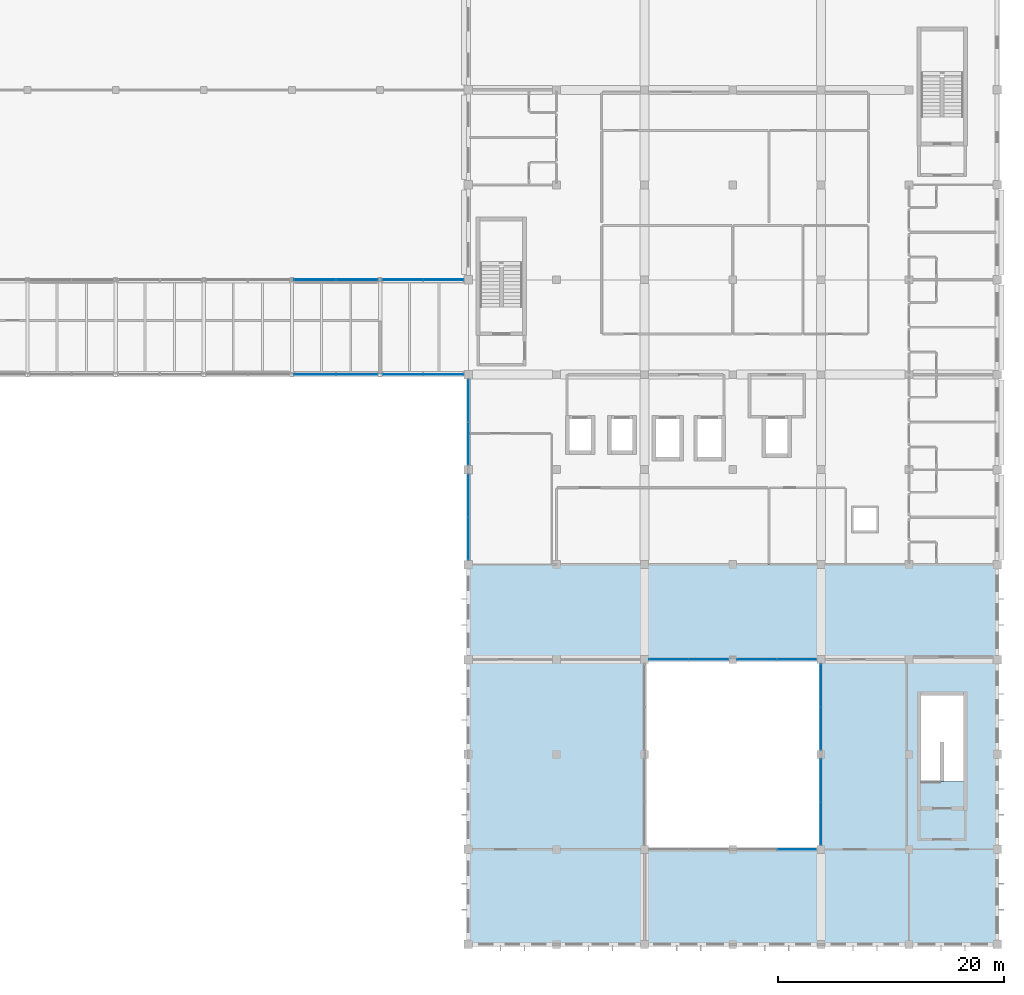
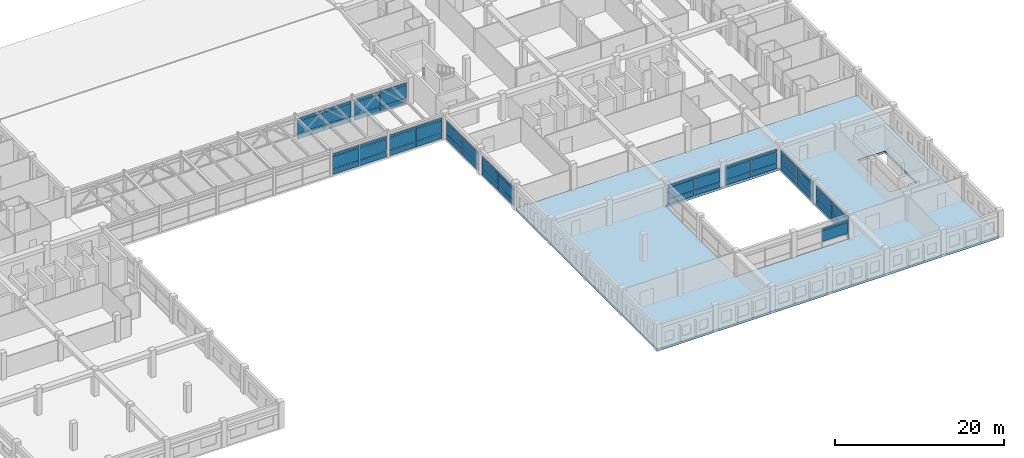
# One storey, part 42 of 72: 62 plates, 1 slab, 11 elements without a shape of their own.
"""IFC4 building model written with IfcOpenShell, lengths in metres."""

from ifc_helpers import new_model, si_unit, direction, frame, origin, origin_2d, place, context, subcontext, project, spatial, polyline, rectangle, outline, extrude, material, layer, layer_set, type_object, element, aggregate, save


model = new_model("IFC4")

# Units and contexts
model_context = context("Model", 3, precision=1e-05, world=origin(), true_north=direction((0.0, 1.0)))
body_context = subcontext(model_context, "Body", "Model", "MODEL_VIEW")
ifc_project = project(units=[si_unit("LENGTHUNIT", "METRE"), si_unit("AREAUNIT", "SQUARE_METRE"), si_unit("VOLUMEUNIT", "CUBIC_METRE"), si_unit("PLANEANGLEUNIT", "RADIAN"), si_unit("MASSUNIT", "GRAM", prefix="KILO"), si_unit("THERMODYNAMICTEMPERATUREUNIT", "KELVIN"), si_unit("POWERUNIT", "WATT")], contexts=[model_context])

# Site, building, storey
site_placement = place(None, origin())
site = spatial("IfcSite", under=ifc_project, at=site_placement, CompositionType="ELEMENT")
building_placement = place(site_placement, origin())
building = spatial("IfcBuilding", under=site, at=building_placement, Name="Srebrne Nadtorze General Hospital", CompositionType="ELEMENT")
storey_placement = place(building_placement, frame((0.0, 0.0, 22.199951171875)))
storey = spatial("IfcBuildingStorey", under=building, at=storey_placement, Name="L05", CompositionType="ELEMENT", Elevation=22.199951171875)

# Curtain wall, plates
ifc_material_1 = material(Name="Anodised Aluminium", Category="aluminium")
curtain_wall_type_1 = type_object("IfcCurtainWallType", Name="Unitised curtain wall 7100x2950", PredefinedType="NOTDEFINED", material=ifc_material_1)
curtain_wall_1_placement = place(storey_placement, origin())
curtain_wall_1 = element("IfcCurtainWall", 1, at=curtain_wall_1_placement, inside=storey, type_object=curtain_wall_type_1, Name="Curtain wall CW-115", PredefinedType="NOTDEFINED")
ifc_material_2 = material(Name="Triple Low-E Glazing", Category="glass")
ifc_layer_1 = layer(ifc_material_2, 0.050048828125)
ifc_layer_set_1 = layer_set([ifc_layer_1], Name="Triple Low-E Glazing")
plate_type = type_object("IfcPlateType", Name="Glazed curtain panel 50", PredefinedType="CURTAIN_PANEL", material=ifc_layer_set_1)
plate_1_placement = place(storey_placement, frame((130.458740234375, 8.39990234375, 0.8828125), z_axis=(0.0, 0.0, 1.0), x_axis=(1.0, 0.0, 0.0)))
plate_1 = element("IfcPlate", 2, at=plate_1_placement, type_object=plate_type, Name="CW-115 panel 2.2", PredefinedType="CURTAIN_PANEL", context=body_context, shape_type="SweptSolid", body=[
    extrude(rectangle(XDim=3.452392578125, YDim=0.050048828125, at=origin_2d()), origin(), (0.0, 0.0, 1.0), 1.534912109375),
])
plate_2_placement = place(storey_placement, frame((130.458740234375, 8.39990234375, 2.482421875), z_axis=(0.0, 0.0, 1.0), x_axis=(1.0, 0.0, 0.0)))
plate_2 = element("IfcPlate", 3, at=plate_2_placement, type_object=plate_type, Name="CW-115 panel 2.3", PredefinedType="CURTAIN_PANEL", context=body_context, shape_type="SweptSolid", body=[
    extrude(rectangle(XDim=3.452392578125, YDim=0.050048828125, at=origin_2d()), origin(), (0.0, 0.0, 1.0), 0.402587890625),
])
aggregate(curtain_wall_1, [plate_1, plate_2])

curtain_wall_2_placement = place(storey_placement, origin())
curtain_wall_2 = element("IfcCurtainWall", 4, at=curtain_wall_2_placement, inside=storey, type_object=curtain_wall_type_1, Name="Curtain wall CW-116", PredefinedType="NOTDEFINED")
plate_3_placement = place(storey_placement, frame((119.139892578125, 25.199951171875, 0.06005859375), z_axis=(0.0, 0.0, 1.0), x_axis=(1.0, 0.0, 0.0)))
plate_3 = element("IfcPlate", 5, at=plate_3_placement, type_object=plate_type, Name="CW-116 panel 1.1", PredefinedType="CURTAIN_PANEL", context=body_context, shape_type="SweptSolid", body=[
    extrude(rectangle(XDim=3.4599609375, YDim=0.050048828125, at=origin_2d()), origin(), (0.0, 0.0, 1.0), 0.760009765625),
])
plate_4_placement = place(storey_placement, frame((119.139892578125, 25.199951171875, 0.880126953125), z_axis=(0.0, 0.0, 1.0), x_axis=(1.0, 0.0, 0.0)))
plate_4 = element("IfcPlate", 6, at=plate_4_placement, type_object=plate_type, Name="CW-116 panel 1.2", PredefinedType="CURTAIN_PANEL", context=body_context, shape_type="SweptSolid", body=[
    extrude(rectangle(XDim=3.4599609375, YDim=0.050048828125, at=origin_2d()), origin(), (0.0, 0.0, 1.0), 1.5400390625),
])
plate_5_placement = place(storey_placement, frame((119.139892578125, 25.199951171875, 2.47998046875), z_axis=(0.0, 0.0, 1.0), x_axis=(1.0, 0.0, 0.0)))
plate_5 = element("IfcPlate", 7, at=plate_5_placement, type_object=plate_type, Name="CW-116 panel 1.3", PredefinedType="CURTAIN_PANEL", context=body_context, shape_type="SweptSolid", body=[
    extrude(rectangle(XDim=3.4599609375, YDim=0.050048828125, at=origin_2d()), origin(), (0.0, 0.0, 1.0), 0.409912109375),
])
plate_6_placement = place(storey_placement, frame((122.659912109375, 25.199951171875, 0.06005859375), z_axis=(0.0, 0.0, 1.0), x_axis=(1.0, 0.0, 0.0)))
plate_6 = element("IfcPlate", 8, at=plate_6_placement, type_object=plate_type, Name="CW-116 panel 2.1", PredefinedType="CURTAIN_PANEL", context=body_context, shape_type="SweptSolid", body=[
    extrude(rectangle(XDim=3.4599609375, YDim=0.050048828125, at=origin_2d()), origin(), (0.0, 0.0, 1.0), 0.760009765625),
])
plate_7_placement = place(storey_placement, frame((122.659912109375, 25.199951171875, 0.880126953125), z_axis=(0.0, 0.0, 1.0), x_axis=(1.0, 0.0, 0.0)))
plate_7 = element("IfcPlate", 9, at=plate_7_placement, type_object=plate_type, Name="CW-116 panel 2.2", PredefinedType="CURTAIN_PANEL", context=body_context, shape_type="SweptSolid", body=[
    extrude(rectangle(XDim=3.4599609375, YDim=0.050048828125, at=origin_2d()), origin(), (0.0, 0.0, 1.0), 1.5400390625),
])
plate_8_placement = place(storey_placement, frame((122.659912109375, 25.199951171875, 2.47998046875), z_axis=(0.0, 0.0, 1.0), x_axis=(1.0, 0.0, 0.0)))
plate_8 = element("IfcPlate", 10, at=plate_8_placement, type_object=plate_type, Name="CW-116 panel 2.3", PredefinedType="CURTAIN_PANEL", context=body_context, shape_type="SweptSolid", body=[
    extrude(rectangle(XDim=3.4599609375, YDim=0.050048828125, at=origin_2d()), origin(), (0.0, 0.0, 1.0), 0.409912109375),
])
aggregate(curtain_wall_2, [plate_3, plate_4, plate_5, plate_6, plate_7, plate_8])

curtain_wall_3_placement = place(storey_placement, origin())
curtain_wall_3 = element("IfcCurtainWall", 11, at=curtain_wall_3_placement, inside=storey, type_object=curtain_wall_type_1, Name="Curtain wall CW-117", PredefinedType="NOTDEFINED")
plate_9_placement = place(storey_placement, frame((126.941162109375, 25.199951171875, 0.065185546875), z_axis=(0.0, 0.0, 1.0), x_axis=(1.0, 0.0, 0.0)))
plate_9 = element("IfcPlate", 12, at=plate_9_placement, type_object=plate_type, Name="CW-117 panel 1.1", PredefinedType="CURTAIN_PANEL", context=body_context, shape_type="SweptSolid", body=[
    extrude(rectangle(XDim=3.452392578125, YDim=0.050048828125, at=origin_2d()), origin(), (0.0, 0.0, 1.0), 0.75244140625),
])
plate_10_placement = place(storey_placement, frame((126.941162109375, 25.199951171875, 0.8828125), z_axis=(0.0, 0.0, 1.0), x_axis=(1.0, 0.0, 0.0)))
plate_10 = element("IfcPlate", 13, at=plate_10_placement, type_object=plate_type, Name="CW-117 panel 1.2", PredefinedType="CURTAIN_PANEL", context=body_context, shape_type="SweptSolid", body=[
    extrude(rectangle(XDim=3.452392578125, YDim=0.050048828125, at=origin_2d()), origin(), (0.0, 0.0, 1.0), 1.534912109375),
])
plate_11_placement = place(storey_placement, frame((126.941162109375, 25.199951171875, 2.482421875), z_axis=(0.0, 0.0, 1.0), x_axis=(1.0, 0.0, 0.0)))
plate_11 = element("IfcPlate", 14, at=plate_11_placement, type_object=plate_type, Name="CW-117 panel 1.3", PredefinedType="CURTAIN_PANEL", context=body_context, shape_type="SweptSolid", body=[
    extrude(rectangle(XDim=3.452392578125, YDim=0.050048828125, at=origin_2d()), origin(), (0.0, 0.0, 1.0), 0.402587890625),
])
plate_12_placement = place(storey_placement, frame((130.458740234375, 25.199951171875, 0.065185546875), z_axis=(0.0, 0.0, 1.0), x_axis=(1.0, 0.0, 0.0)))
plate_12 = element("IfcPlate", 15, at=plate_12_placement, type_object=plate_type, Name="CW-117 panel 2.1", PredefinedType="CURTAIN_PANEL", context=body_context, shape_type="SweptSolid", body=[
    extrude(rectangle(XDim=3.452392578125, YDim=0.050048828125, at=origin_2d()), origin(), (0.0, 0.0, 1.0), 0.75244140625),
])
plate_13_placement = place(storey_placement, frame((130.458740234375, 25.199951171875, 0.8828125), z_axis=(0.0, 0.0, 1.0), x_axis=(1.0, 0.0, 0.0)))
plate_13 = element("IfcPlate", 16, at=plate_13_placement, type_object=plate_type, Name="CW-117 panel 2.2", PredefinedType="CURTAIN_PANEL", context=body_context, shape_type="SweptSolid", body=[
    extrude(rectangle(XDim=3.452392578125, YDim=0.050048828125, at=origin_2d()), origin(), (0.0, 0.0, 1.0), 1.534912109375),
])
plate_14_placement = place(storey_placement, frame((130.458740234375, 25.199951171875, 2.482421875), z_axis=(0.0, 0.0, 1.0), x_axis=(1.0, 0.0, 0.0)))
plate_14 = element("IfcPlate", 17, at=plate_14_placement, type_object=plate_type, Name="CW-117 panel 2.3", PredefinedType="CURTAIN_PANEL", context=body_context, shape_type="SweptSolid", body=[
    extrude(rectangle(XDim=3.452392578125, YDim=0.050048828125, at=origin_2d()), origin(), (0.0, 0.0, 1.0), 0.402587890625),
])
aggregate(curtain_wall_3, [plate_9, plate_10, plate_11, plate_12, plate_13, plate_14])

ifc_material_3 = material(Name="Anodised Aluminium", Category="aluminium")
curtain_wall_type_2 = type_object("IfcCurtainWallType", Name="Bridge curtain wall 7500x3150", PredefinedType="NOTDEFINED", material=ifc_material_3)
curtain_wall_4_placement = place(storey_placement, origin())
curtain_wall_4 = element("IfcCurtainWall", 18, at=curtain_wall_4_placement, inside=storey, type_object=curtain_wall_type_2, Name="Curtain wall CW-122", PredefinedType="NOTDEFINED")
plate_15_placement = place(storey_placement, frame((87.840087890625, 50.39990234375, 0.06005859375), z_axis=(0.0, 0.0, 1.0), x_axis=(1.0, 0.0, 0.0)))
plate_15 = element("IfcPlate", 19, at=plate_15_placement, type_object=plate_type, Name="CW-122 panel 1.1", PredefinedType="CURTAIN_PANEL", context=body_context, shape_type="SweptSolid", body=[
    extrude(rectangle(XDim=3.659912109375, YDim=0.050048828125, at=origin_2d()), origin(), (0.0, 0.0, 1.0), 0.760009765625),
])
plate_16_placement = place(storey_placement, frame((87.840087890625, 50.39990234375, 0.8798828125), z_axis=(0.0, 0.0, 1.0), x_axis=(1.0, 0.0, 0.0)))
plate_16 = element("IfcPlate", 20, at=plate_16_placement, type_object=plate_type, Name="CW-122 panel 1.2", PredefinedType="CURTAIN_PANEL", context=body_context, shape_type="SweptSolid", body=[
    extrude(rectangle(XDim=3.659912109375, YDim=0.050048828125, at=origin_2d()), origin(), (0.0, 0.0, 1.0), 1.739990234375),
])
plate_17_placement = place(storey_placement, frame((87.840087890625, 50.39990234375, 2.68017578125), z_axis=(0.0, 0.0, 1.0), x_axis=(1.0, 0.0, 0.0)))
plate_17 = element("IfcPlate", 21, at=plate_17_placement, type_object=plate_type, Name="CW-122 panel 1.3", PredefinedType="CURTAIN_PANEL", context=body_context, shape_type="SweptSolid", body=[
    extrude(rectangle(XDim=3.659912109375, YDim=0.050048828125, at=origin_2d()), origin(), (0.0, 0.0, 1.0), 0.409912109375),
])
plate_18_placement = place(storey_placement, frame((91.56005859375, 50.39990234375, 0.06005859375), z_axis=(0.0, 0.0, 1.0), x_axis=(1.0, 0.0, 0.0)))
plate_18 = element("IfcPlate", 22, at=plate_18_placement, type_object=plate_type, Name="CW-122 panel 2.1", PredefinedType="CURTAIN_PANEL", context=body_context, shape_type="SweptSolid", body=[
    extrude(rectangle(XDim=3.659912109375, YDim=0.050048828125, at=origin_2d()), origin(), (0.0, 0.0, 1.0), 0.760009765625),
])
plate_19_placement = place(storey_placement, frame((91.56005859375, 50.39990234375, 0.8798828125), z_axis=(0.0, 0.0, 1.0), x_axis=(1.0, 0.0, 0.0)))
plate_19 = element("IfcPlate", 23, at=plate_19_placement, type_object=plate_type, Name="CW-122 panel 2.2", PredefinedType="CURTAIN_PANEL", context=body_context, shape_type="SweptSolid", body=[
    extrude(rectangle(XDim=3.659912109375, YDim=0.050048828125, at=origin_2d()), origin(), (0.0, 0.0, 1.0), 1.739990234375),
])
plate_20_placement = place(storey_placement, frame((91.56005859375, 50.39990234375, 2.68017578125), z_axis=(0.0, 0.0, 1.0), x_axis=(1.0, 0.0, 0.0)))
plate_20 = element("IfcPlate", 24, at=plate_20_placement, type_object=plate_type, Name="CW-122 panel 2.3", PredefinedType="CURTAIN_PANEL", context=body_context, shape_type="SweptSolid", body=[
    extrude(rectangle(XDim=3.659912109375, YDim=0.050048828125, at=origin_2d()), origin(), (0.0, 0.0, 1.0), 0.409912109375),
])
aggregate(curtain_wall_4, [plate_15, plate_16, plate_17, plate_18, plate_19, plate_20])

ifc_material_4 = material(Name="Anodised Aluminium", Category="aluminium")
curtain_wall_type_3 = type_object("IfcCurtainWallType", Name="Bridge curtain wall 7275x3150", PredefinedType="NOTDEFINED", material=ifc_material_4)
curtain_wall_5_placement = place(storey_placement, origin())
curtain_wall_5 = element("IfcCurtainWall", 25, at=curtain_wall_5_placement, inside=storey, type_object=curtain_wall_type_3, Name="Curtain wall CW-123", PredefinedType="NOTDEFINED")
plate_21_placement = place(storey_placement, frame((95.5849609375, 50.39990234375, 0.065185546875), z_axis=(0.0, 0.0, 1.0), x_axis=(1.0, 0.0, 0.0)))
plate_21 = element("IfcPlate", 26, at=plate_21_placement, type_object=plate_type, Name="CW-123 panel 1.1", PredefinedType="CURTAIN_PANEL", context=body_context, shape_type="SweptSolid", body=[
    extrude(rectangle(XDim=3.5400390625, YDim=0.050048828125, at=origin_2d()), origin(), (0.0, 0.0, 1.0), 0.75244140625),
])
plate_22_placement = place(storey_placement, frame((95.5849609375, 50.39990234375, 0.88232421875), z_axis=(0.0, 0.0, 1.0), x_axis=(1.0, 0.0, 0.0)))
plate_22 = element("IfcPlate", 27, at=plate_22_placement, type_object=plate_type, Name="CW-123 panel 1.2", PredefinedType="CURTAIN_PANEL", context=body_context, shape_type="SweptSolid", body=[
    extrude(rectangle(XDim=3.5400390625, YDim=0.050048828125, at=origin_2d()), origin(), (0.0, 0.0, 1.0), 1.735107421875),
])
plate_23_placement = place(storey_placement, frame((95.5849609375, 50.39990234375, 2.6826171875), z_axis=(0.0, 0.0, 1.0), x_axis=(1.0, 0.0, 0.0)))
plate_23 = element("IfcPlate", 28, at=plate_23_placement, type_object=plate_type, Name="CW-123 panel 1.3", PredefinedType="CURTAIN_PANEL", context=body_context, shape_type="SweptSolid", body=[
    extrude(rectangle(XDim=3.5400390625, YDim=0.050048828125, at=origin_2d()), origin(), (0.0, 0.0, 1.0), 0.402587890625),
])
plate_24_placement = place(storey_placement, frame((99.18994140625, 50.39990234375, 0.065185546875), z_axis=(0.0, 0.0, 1.0), x_axis=(1.0, 0.0, 0.0)))
plate_24 = element("IfcPlate", 29, at=plate_24_placement, type_object=plate_type, Name="CW-123 panel 2.1", PredefinedType="CURTAIN_PANEL", context=body_context, shape_type="SweptSolid", body=[
    extrude(rectangle(XDim=3.5400390625, YDim=0.050048828125, at=origin_2d()), origin(), (0.0, 0.0, 1.0), 0.75244140625),
])
plate_25_placement = place(storey_placement, frame((99.18994140625, 50.39990234375, 0.88232421875), z_axis=(0.0, 0.0, 1.0), x_axis=(1.0, 0.0, 0.0)))
plate_25 = element("IfcPlate", 30, at=plate_25_placement, type_object=plate_type, Name="CW-123 panel 2.2", PredefinedType="CURTAIN_PANEL", context=body_context, shape_type="SweptSolid", body=[
    extrude(rectangle(XDim=3.5400390625, YDim=0.050048828125, at=origin_2d()), origin(), (0.0, 0.0, 1.0), 1.735107421875),
])
plate_26_placement = place(storey_placement, frame((99.18994140625, 50.39990234375, 2.6826171875), z_axis=(0.0, 0.0, 1.0), x_axis=(1.0, 0.0, 0.0)))
plate_26 = element("IfcPlate", 31, at=plate_26_placement, type_object=plate_type, Name="CW-123 panel 2.3", PredefinedType="CURTAIN_PANEL", context=body_context, shape_type="SweptSolid", body=[
    extrude(rectangle(XDim=3.5400390625, YDim=0.050048828125, at=origin_2d()), origin(), (0.0, 0.0, 1.0), 0.402587890625),
])
aggregate(curtain_wall_5, [plate_21, plate_22, plate_23, plate_24, plate_25, plate_26])

curtain_wall_6_placement = place(storey_placement, origin())
curtain_wall_6 = element("IfcCurtainWall", 32, at=curtain_wall_6_placement, inside=storey, type_object=curtain_wall_type_2, Name="Curtain wall CW-128", PredefinedType="NOTDEFINED")
plate_27_placement = place(storey_placement, frame((87.840087890625, 58.800048828125, 0.06005859375), z_axis=(0.0, 0.0, 1.0), x_axis=(1.0, 0.0, 0.0)))
plate_27 = element("IfcPlate", 33, at=plate_27_placement, type_object=plate_type, Name="CW-128 panel 1.1", PredefinedType="CURTAIN_PANEL", context=body_context, shape_type="SweptSolid", body=[
    extrude(rectangle(XDim=3.659912109375, YDim=0.050048828125, at=origin_2d()), origin(), (0.0, 0.0, 1.0), 0.760009765625),
])
plate_28_placement = place(storey_placement, frame((87.840087890625, 58.800048828125, 0.8798828125), z_axis=(0.0, 0.0, 1.0), x_axis=(1.0, 0.0, 0.0)))
plate_28 = element("IfcPlate", 34, at=plate_28_placement, type_object=plate_type, Name="CW-128 panel 1.2", PredefinedType="CURTAIN_PANEL", context=body_context, shape_type="SweptSolid", body=[
    extrude(rectangle(XDim=3.659912109375, YDim=0.050048828125, at=origin_2d()), origin(), (0.0, 0.0, 1.0), 1.739990234375),
])
plate_29_placement = place(storey_placement, frame((87.840087890625, 58.800048828125, 2.68017578125), z_axis=(0.0, 0.0, 1.0), x_axis=(1.0, 0.0, 0.0)))
plate_29 = element("IfcPlate", 35, at=plate_29_placement, type_object=plate_type, Name="CW-128 panel 1.3", PredefinedType="CURTAIN_PANEL", context=body_context, shape_type="SweptSolid", body=[
    extrude(rectangle(XDim=3.659912109375, YDim=0.050048828125, at=origin_2d()), origin(), (0.0, 0.0, 1.0), 0.409912109375),
])
plate_30_placement = place(storey_placement, frame((91.56005859375, 58.800048828125, 0.06005859375), z_axis=(0.0, 0.0, 1.0), x_axis=(1.0, 0.0, 0.0)))
plate_30 = element("IfcPlate", 36, at=plate_30_placement, type_object=plate_type, Name="CW-128 panel 2.1", PredefinedType="CURTAIN_PANEL", context=body_context, shape_type="SweptSolid", body=[
    extrude(rectangle(XDim=3.659912109375, YDim=0.050048828125, at=origin_2d()), origin(), (0.0, 0.0, 1.0), 0.760009765625),
])
plate_31_placement = place(storey_placement, frame((91.56005859375, 58.800048828125, 0.8798828125), z_axis=(0.0, 0.0, 1.0), x_axis=(1.0, 0.0, 0.0)))
plate_31 = element("IfcPlate", 37, at=plate_31_placement, type_object=plate_type, Name="CW-128 panel 2.2", PredefinedType="CURTAIN_PANEL", context=body_context, shape_type="SweptSolid", body=[
    extrude(rectangle(XDim=3.659912109375, YDim=0.050048828125, at=origin_2d()), origin(), (0.0, 0.0, 1.0), 1.739990234375),
])
plate_32_placement = place(storey_placement, frame((91.56005859375, 58.800048828125, 2.68017578125), z_axis=(0.0, 0.0, 1.0), x_axis=(1.0, 0.0, 0.0)))
plate_32 = element("IfcPlate", 38, at=plate_32_placement, type_object=plate_type, Name="CW-128 panel 2.3", PredefinedType="CURTAIN_PANEL", context=body_context, shape_type="SweptSolid", body=[
    extrude(rectangle(XDim=3.659912109375, YDim=0.050048828125, at=origin_2d()), origin(), (0.0, 0.0, 1.0), 0.409912109375),
])
aggregate(curtain_wall_6, [plate_27, plate_28, plate_29, plate_30, plate_31, plate_32])

curtain_wall_7_placement = place(storey_placement, origin())
curtain_wall_7 = element("IfcCurtainWall", 39, at=curtain_wall_7_placement, inside=storey, type_object=curtain_wall_type_3, Name="Curtain wall CW-129", PredefinedType="NOTDEFINED")
plate_33_placement = place(storey_placement, frame((95.5849609375, 58.800048828125, 0.065185546875), z_axis=(0.0, 0.0, 1.0), x_axis=(1.0, 0.0, 0.0)))
plate_33 = element("IfcPlate", 40, at=plate_33_placement, type_object=plate_type, Name="CW-129 panel 1.1", PredefinedType="CURTAIN_PANEL", context=body_context, shape_type="SweptSolid", body=[
    extrude(rectangle(XDim=3.5400390625, YDim=0.050048828125, at=origin_2d()), origin(), (0.0, 0.0, 1.0), 0.75244140625),
])
plate_34_placement = place(storey_placement, frame((95.5849609375, 58.800048828125, 0.88232421875), z_axis=(0.0, 0.0, 1.0), x_axis=(1.0, 0.0, 0.0)))
plate_34 = element("IfcPlate", 41, at=plate_34_placement, type_object=plate_type, Name="CW-129 panel 1.2", PredefinedType="CURTAIN_PANEL", context=body_context, shape_type="SweptSolid", body=[
    extrude(rectangle(XDim=3.5400390625, YDim=0.050048828125, at=origin_2d()), origin(), (0.0, 0.0, 1.0), 1.735107421875),
])
plate_35_placement = place(storey_placement, frame((95.5849609375, 58.800048828125, 2.6826171875), z_axis=(0.0, 0.0, 1.0), x_axis=(1.0, 0.0, 0.0)))
plate_35 = element("IfcPlate", 42, at=plate_35_placement, type_object=plate_type, Name="CW-129 panel 1.3", PredefinedType="CURTAIN_PANEL", context=body_context, shape_type="SweptSolid", body=[
    extrude(rectangle(XDim=3.5400390625, YDim=0.050048828125, at=origin_2d()), origin(), (0.0, 0.0, 1.0), 0.402587890625),
])
plate_36_placement = place(storey_placement, frame((99.18994140625, 58.800048828125, 0.065185546875), z_axis=(0.0, 0.0, 1.0), x_axis=(1.0, 0.0, 0.0)))
plate_36 = element("IfcPlate", 43, at=plate_36_placement, type_object=plate_type, Name="CW-129 panel 2.1", PredefinedType="CURTAIN_PANEL", context=body_context, shape_type="SweptSolid", body=[
    extrude(rectangle(XDim=3.5400390625, YDim=0.050048828125, at=origin_2d()), origin(), (0.0, 0.0, 1.0), 0.75244140625),
])
plate_37_placement = place(storey_placement, frame((99.18994140625, 58.800048828125, 0.88232421875), z_axis=(0.0, 0.0, 1.0), x_axis=(1.0, 0.0, 0.0)))
plate_37 = element("IfcPlate", 44, at=plate_37_placement, type_object=plate_type, Name="CW-129 panel 2.2", PredefinedType="CURTAIN_PANEL", context=body_context, shape_type="SweptSolid", body=[
    extrude(rectangle(XDim=3.5400390625, YDim=0.050048828125, at=origin_2d()), origin(), (0.0, 0.0, 1.0), 1.735107421875),
])
plate_38_placement = place(storey_placement, frame((99.18994140625, 58.800048828125, 2.6826171875), z_axis=(0.0, 0.0, 1.0), x_axis=(1.0, 0.0, 0.0)))
plate_38 = element("IfcPlate", 45, at=plate_38_placement, type_object=plate_type, Name="CW-129 panel 2.3", PredefinedType="CURTAIN_PANEL", context=body_context, shape_type="SweptSolid", body=[
    extrude(rectangle(XDim=3.5400390625, YDim=0.050048828125, at=origin_2d()), origin(), (0.0, 0.0, 1.0), 0.402587890625),
])
aggregate(curtain_wall_7, [plate_33, plate_34, plate_35, plate_36, plate_37, plate_38])

ifc_material_5 = material(Name="Anodised Aluminium", Category="aluminium")
curtain_wall_type_4 = type_object("IfcCurtainWallType", Name="Unitised curtain wall 7650x2950", PredefinedType="NOTDEFINED", material=ifc_material_5)
curtain_wall_8_placement = place(storey_placement, origin())
curtain_wall_8 = element("IfcCurtainWall", 46, at=curtain_wall_8_placement, inside=storey, type_object=curtain_wall_type_4, Name="Curtain wall CW-132", PredefinedType="NOTDEFINED")
plate_39_placement = place(storey_placement, frame((101.39990234375, 35.902587890625, 0.06005859375), z_axis=(0.0, 0.0, 1.0), x_axis=(0.0, 1.0, 0.0)))
plate_39 = element("IfcPlate", 47, at=plate_39_placement, type_object=plate_type, Name="CW-132 panel 1.1", PredefinedType="CURTAIN_PANEL", context=body_context, shape_type="SweptSolid", body=[
    extrude(rectangle(XDim=3.735107421875, YDim=0.050048828125, at=origin_2d()), origin(), (0.0, 0.0, 1.0), 0.760009765625),
])
plate_40_placement = place(storey_placement, frame((101.39990234375, 35.902587890625, 0.880126953125), z_axis=(0.0, 0.0, 1.0), x_axis=(0.0, 1.0, 0.0)))
plate_40 = element("IfcPlate", 48, at=plate_40_placement, type_object=plate_type, Name="CW-132 panel 1.2", PredefinedType="CURTAIN_PANEL", context=body_context, shape_type="SweptSolid", body=[
    extrude(rectangle(XDim=3.735107421875, YDim=0.050048828125, at=origin_2d()), origin(), (0.0, 0.0, 1.0), 1.5400390625),
])
plate_41_placement = place(storey_placement, frame((101.39990234375, 35.902587890625, 2.47998046875), z_axis=(0.0, 0.0, 1.0), x_axis=(0.0, 1.0, 0.0)))
plate_41 = element("IfcPlate", 49, at=plate_41_placement, type_object=plate_type, Name="CW-132 panel 1.3", PredefinedType="CURTAIN_PANEL", context=body_context, shape_type="SweptSolid", body=[
    extrude(rectangle(XDim=3.735107421875, YDim=0.050048828125, at=origin_2d()), origin(), (0.0, 0.0, 1.0), 0.409912109375),
])
plate_42_placement = place(storey_placement, frame((101.39990234375, 39.697509765625, 0.06005859375), z_axis=(0.0, 0.0, 1.0), x_axis=(0.0, 1.0, 0.0)))
plate_42 = element("IfcPlate", 50, at=plate_42_placement, type_object=plate_type, Name="CW-132 panel 2.1", PredefinedType="CURTAIN_PANEL", context=body_context, shape_type="SweptSolid", body=[
    extrude(rectangle(XDim=3.735107421875, YDim=0.050048828125, at=origin_2d()), origin(), (0.0, 0.0, 1.0), 0.760009765625),
])
plate_43_placement = place(storey_placement, frame((101.39990234375, 39.697509765625, 0.880126953125), z_axis=(0.0, 0.0, 1.0), x_axis=(0.0, 1.0, 0.0)))
plate_43 = element("IfcPlate", 51, at=plate_43_placement, type_object=plate_type, Name="CW-132 panel 2.2", PredefinedType="CURTAIN_PANEL", context=body_context, shape_type="SweptSolid", body=[
    extrude(rectangle(XDim=3.735107421875, YDim=0.050048828125, at=origin_2d()), origin(), (0.0, 0.0, 1.0), 1.5400390625),
])
plate_44_placement = place(storey_placement, frame((101.39990234375, 39.697509765625, 2.47998046875), z_axis=(0.0, 0.0, 1.0), x_axis=(0.0, 1.0, 0.0)))
plate_44 = element("IfcPlate", 52, at=plate_44_placement, type_object=plate_type, Name="CW-132 panel 2.3", PredefinedType="CURTAIN_PANEL", context=body_context, shape_type="SweptSolid", body=[
    extrude(rectangle(XDim=3.735107421875, YDim=0.050048828125, at=origin_2d()), origin(), (0.0, 0.0, 1.0), 0.409912109375),
])
aggregate(curtain_wall_8, [plate_39, plate_40, plate_41, plate_42, plate_43, plate_44])

curtain_wall_9_placement = place(storey_placement, origin())
curtain_wall_9 = element("IfcCurtainWall", 53, at=curtain_wall_9_placement, inside=storey, type_object=curtain_wall_type_4, Name="Curtain wall CW-133", PredefinedType="NOTDEFINED")
plate_45_placement = place(storey_placement, frame((101.39990234375, 44.3037109375, 0.065185546875), z_axis=(0.0, 0.0, 1.0), x_axis=(0.0, 1.0, 0.0)))
plate_45 = element("IfcPlate", 54, at=plate_45_placement, type_object=plate_type, Name="CW-133 panel 1.1", PredefinedType="CURTAIN_PANEL", context=body_context, shape_type="SweptSolid", body=[
    extrude(rectangle(XDim=3.7275390625, YDim=0.050048828125, at=origin_2d()), origin(), (0.0, 0.0, 1.0), 0.75244140625),
])
plate_46_placement = place(storey_placement, frame((101.39990234375, 44.3037109375, 0.8828125), z_axis=(0.0, 0.0, 1.0), x_axis=(0.0, 1.0, 0.0)))
plate_46 = element("IfcPlate", 55, at=plate_46_placement, type_object=plate_type, Name="CW-133 panel 1.2", PredefinedType="CURTAIN_PANEL", context=body_context, shape_type="SweptSolid", body=[
    extrude(rectangle(XDim=3.7275390625, YDim=0.050048828125, at=origin_2d()), origin(), (0.0, 0.0, 1.0), 1.534912109375),
])
plate_47_placement = place(storey_placement, frame((101.39990234375, 44.3037109375, 2.482421875), z_axis=(0.0, 0.0, 1.0), x_axis=(0.0, 1.0, 0.0)))
plate_47 = element("IfcPlate", 56, at=plate_47_placement, type_object=plate_type, Name="CW-133 panel 1.3", PredefinedType="CURTAIN_PANEL", context=body_context, shape_type="SweptSolid", body=[
    extrude(rectangle(XDim=3.7275390625, YDim=0.050048828125, at=origin_2d()), origin(), (0.0, 0.0, 1.0), 0.402587890625),
])
plate_48_placement = place(storey_placement, frame((101.39990234375, 48.09619140625, 0.065185546875), z_axis=(0.0, 0.0, 1.0), x_axis=(0.0, 1.0, 0.0)))
plate_48 = element("IfcPlate", 57, at=plate_48_placement, type_object=plate_type, Name="CW-133 panel 2.1", PredefinedType="CURTAIN_PANEL", context=body_context, shape_type="SweptSolid", body=[
    extrude(rectangle(XDim=3.7275390625, YDim=0.050048828125, at=origin_2d()), origin(), (0.0, 0.0, 1.0), 0.75244140625),
])
plate_49_placement = place(storey_placement, frame((101.39990234375, 48.09619140625, 0.8828125), z_axis=(0.0, 0.0, 1.0), x_axis=(0.0, 1.0, 0.0)))
plate_49 = element("IfcPlate", 58, at=plate_49_placement, type_object=plate_type, Name="CW-133 panel 2.2", PredefinedType="CURTAIN_PANEL", context=body_context, shape_type="SweptSolid", body=[
    extrude(rectangle(XDim=3.7275390625, YDim=0.050048828125, at=origin_2d()), origin(), (0.0, 0.0, 1.0), 1.534912109375),
])
plate_50_placement = place(storey_placement, frame((101.39990234375, 48.09619140625, 2.482421875), z_axis=(0.0, 0.0, 1.0), x_axis=(0.0, 1.0, 0.0)))
plate_50 = element("IfcPlate", 59, at=plate_50_placement, type_object=plate_type, Name="CW-133 panel 2.3", PredefinedType="CURTAIN_PANEL", context=body_context, shape_type="SweptSolid", body=[
    extrude(rectangle(XDim=3.7275390625, YDim=0.050048828125, at=origin_2d()), origin(), (0.0, 0.0, 1.0), 0.402587890625),
])
aggregate(curtain_wall_9, [plate_45, plate_46, plate_47, plate_48, plate_49, plate_50])

ifc_material_6 = material(Name="Anodised Aluminium", Category="aluminium")
curtain_wall_type_5 = type_object("IfcCurtainWallType", Name="Unitised curtain wall 7700x2950", PredefinedType="NOTDEFINED", material=ifc_material_6)
curtain_wall_10_placement = place(storey_placement, origin())
curtain_wall_10 = element("IfcCurtainWall", 60, at=curtain_wall_10_placement, inside=storey, type_object=curtain_wall_type_5, Name="Curtain wall CW-136", PredefinedType="NOTDEFINED")
plate_51_placement = place(storey_placement, frame((132.60009765625, 10.68994140625, 0.06005859375), z_axis=(0.0, 0.0, 1.0), x_axis=(0.0, 1.0, 0.0)))
plate_51 = element("IfcPlate", 61, at=plate_51_placement, type_object=plate_type, Name="CW-136 panel 1.1", PredefinedType="CURTAIN_PANEL", context=body_context, shape_type="SweptSolid", body=[
    extrude(rectangle(XDim=3.760009765625, YDim=0.050048828125, at=origin_2d()), origin(), (0.0, 0.0, 1.0), 0.760009765625),
])
plate_52_placement = place(storey_placement, frame((132.60009765625, 10.68994140625, 0.880126953125), z_axis=(0.0, 0.0, 1.0), x_axis=(0.0, 1.0, 0.0)))
plate_52 = element("IfcPlate", 62, at=plate_52_placement, type_object=plate_type, Name="CW-136 panel 1.2", PredefinedType="CURTAIN_PANEL", context=body_context, shape_type="SweptSolid", body=[
    extrude(rectangle(XDim=3.760009765625, YDim=0.050048828125, at=origin_2d()), origin(), (0.0, 0.0, 1.0), 1.5400390625),
])
plate_53_placement = place(storey_placement, frame((132.60009765625, 10.68994140625, 2.47998046875), z_axis=(0.0, 0.0, 1.0), x_axis=(0.0, 1.0, 0.0)))
plate_53 = element("IfcPlate", 63, at=plate_53_placement, type_object=plate_type, Name="CW-136 panel 1.3", PredefinedType="CURTAIN_PANEL", context=body_context, shape_type="SweptSolid", body=[
    extrude(rectangle(XDim=3.760009765625, YDim=0.050048828125, at=origin_2d()), origin(), (0.0, 0.0, 1.0), 0.409912109375),
])
plate_54_placement = place(storey_placement, frame((132.60009765625, 14.510009765625, 0.06005859375), z_axis=(0.0, 0.0, 1.0), x_axis=(0.0, 1.0, 0.0)))
plate_54 = element("IfcPlate", 64, at=plate_54_placement, type_object=plate_type, Name="CW-136 panel 2.1", PredefinedType="CURTAIN_PANEL", context=body_context, shape_type="SweptSolid", body=[
    extrude(rectangle(XDim=3.760009765625, YDim=0.050048828125, at=origin_2d()), origin(), (0.0, 0.0, 1.0), 0.760009765625),
])
plate_55_placement = place(storey_placement, frame((132.60009765625, 14.510009765625, 0.880126953125), z_axis=(0.0, 0.0, 1.0), x_axis=(0.0, 1.0, 0.0)))
plate_55 = element("IfcPlate", 65, at=plate_55_placement, type_object=plate_type, Name="CW-136 panel 2.2", PredefinedType="CURTAIN_PANEL", context=body_context, shape_type="SweptSolid", body=[
    extrude(rectangle(XDim=3.760009765625, YDim=0.050048828125, at=origin_2d()), origin(), (0.0, 0.0, 1.0), 1.5400390625),
])
plate_56_placement = place(storey_placement, frame((132.60009765625, 14.510009765625, 2.47998046875), z_axis=(0.0, 0.0, 1.0), x_axis=(0.0, 1.0, 0.0)))
plate_56 = element("IfcPlate", 66, at=plate_56_placement, type_object=plate_type, Name="CW-136 panel 2.3", PredefinedType="CURTAIN_PANEL", context=body_context, shape_type="SweptSolid", body=[
    extrude(rectangle(XDim=3.760009765625, YDim=0.050048828125, at=origin_2d()), origin(), (0.0, 0.0, 1.0), 0.409912109375),
])
aggregate(curtain_wall_10, [plate_51, plate_52, plate_53, plate_54, plate_55, plate_56])

curtain_wall_11_placement = place(storey_placement, origin())
curtain_wall_11 = element("IfcCurtainWall", 67, at=curtain_wall_11_placement, inside=storey, type_object=curtain_wall_type_5, Name="Curtain wall CW-137", PredefinedType="NOTDEFINED")
plate_57_placement = place(storey_placement, frame((132.60009765625, 19.09130859375, 0.065185546875), z_axis=(0.0, 0.0, 1.0), x_axis=(0.0, 1.0, 0.0)))
plate_57 = element("IfcPlate", 68, at=plate_57_placement, type_object=plate_type, Name="CW-137 panel 1.1", PredefinedType="CURTAIN_PANEL", context=body_context, shape_type="SweptSolid", body=[
    extrude(rectangle(XDim=3.75244140625, YDim=0.050048828125, at=origin_2d()), origin(), (0.0, 0.0, 1.0), 0.75244140625),
])
plate_58_placement = place(storey_placement, frame((132.60009765625, 19.09130859375, 0.8828125), z_axis=(0.0, 0.0, 1.0), x_axis=(0.0, 1.0, 0.0)))
plate_58 = element("IfcPlate", 69, at=plate_58_placement, type_object=plate_type, Name="CW-137 panel 1.2", PredefinedType="CURTAIN_PANEL", context=body_context, shape_type="SweptSolid", body=[
    extrude(rectangle(XDim=3.75244140625, YDim=0.050048828125, at=origin_2d()), origin(), (0.0, 0.0, 1.0), 1.534912109375),
])
plate_59_placement = place(storey_placement, frame((132.60009765625, 19.09130859375, 2.482421875), z_axis=(0.0, 0.0, 1.0), x_axis=(0.0, 1.0, 0.0)))
plate_59 = element("IfcPlate", 70, at=plate_59_placement, type_object=plate_type, Name="CW-137 panel 1.3", PredefinedType="CURTAIN_PANEL", context=body_context, shape_type="SweptSolid", body=[
    extrude(rectangle(XDim=3.75244140625, YDim=0.050048828125, at=origin_2d()), origin(), (0.0, 0.0, 1.0), 0.402587890625),
])
plate_60_placement = place(storey_placement, frame((132.60009765625, 22.90869140625, 0.065185546875), z_axis=(0.0, 0.0, 1.0), x_axis=(0.0, 1.0, 0.0)))
plate_60 = element("IfcPlate", 71, at=plate_60_placement, type_object=plate_type, Name="CW-137 panel 2.1", PredefinedType="CURTAIN_PANEL", context=body_context, shape_type="SweptSolid", body=[
    extrude(rectangle(XDim=3.75244140625, YDim=0.050048828125, at=origin_2d()), origin(), (0.0, 0.0, 1.0), 0.75244140625),
])
plate_61_placement = place(storey_placement, frame((132.60009765625, 22.90869140625, 0.8828125), z_axis=(0.0, 0.0, 1.0), x_axis=(0.0, 1.0, 0.0)))
plate_61 = element("IfcPlate", 72, at=plate_61_placement, type_object=plate_type, Name="CW-137 panel 2.2", PredefinedType="CURTAIN_PANEL", context=body_context, shape_type="SweptSolid", body=[
    extrude(rectangle(XDim=3.75244140625, YDim=0.050048828125, at=origin_2d()), origin(), (0.0, 0.0, 1.0), 1.534912109375),
])
plate_62_placement = place(storey_placement, frame((132.60009765625, 22.90869140625, 2.482421875), z_axis=(0.0, 0.0, 1.0), x_axis=(0.0, 1.0, 0.0)))
plate_62 = element("IfcPlate", 73, at=plate_62_placement, type_object=plate_type, Name="CW-137 panel 2.3", PredefinedType="CURTAIN_PANEL", context=body_context, shape_type="SweptSolid", body=[
    extrude(rectangle(XDim=3.75244140625, YDim=0.050048828125, at=origin_2d()), origin(), (0.0, 0.0, 1.0), 0.402587890625),
])
aggregate(curtain_wall_11, [plate_57, plate_58, plate_59, plate_60, plate_61, plate_62])

# Slab
ifc_material_7 = material(Name="Concrete C35/45", Category="concrete")
ifc_layer_2 = layer(ifc_material_7, 0.31494140625)
ifc_layer_set_2 = layer_set([ifc_layer_2], Name="Concrete C35/45")
slab_type = type_object("IfcSlabType", Name="Suspended floor slab 315", PredefinedType="FLOOR", material=ifc_layer_set_2)
slab_placement = place(storey_placement, frame((0.0, 0.0, -0.31494140625)))
element("IfcSlab", 74, at=slab_placement, inside=storey, type_object=slab_type, Name="Suspended floor slab SL-L05-CLI", PredefinedType="FLOOR", context=body_context, shape_type="SweptSolid", body=[
    extrude(outline(polyline([(148.199951171875, 0.0), (148.199951171875, 33.60009765625), (101.39990234375, 33.60009765625), (101.39990234375, 0.0), (148.199951171875, 0.0)]), holes=[polyline([(132.60009765625, 8.39990234375), (117.0, 8.39990234375), (117.0, 25.199951171875), (132.60009765625, 25.199951171875), (132.60009765625, 8.39990234375)]), polyline([(145.199951171875, 14.405029296875), (141.449951171875, 14.405029296875), (141.449951171875, 22.0), (145.199951171875, 22.0), (145.199951171875, 14.405029296875)])]), origin(), (0.0, 0.0, 1.0), 0.31494140625),
])

save(model, "model.ifc")
